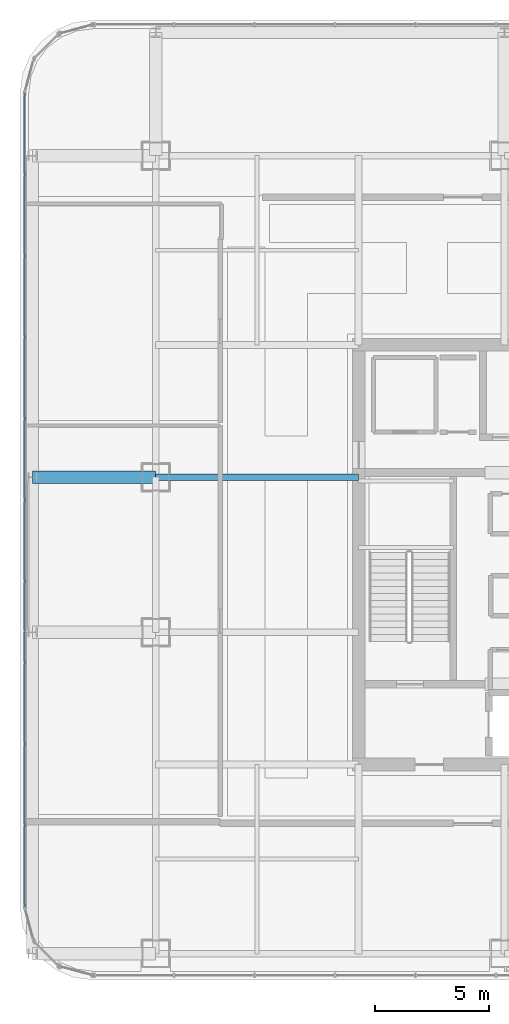
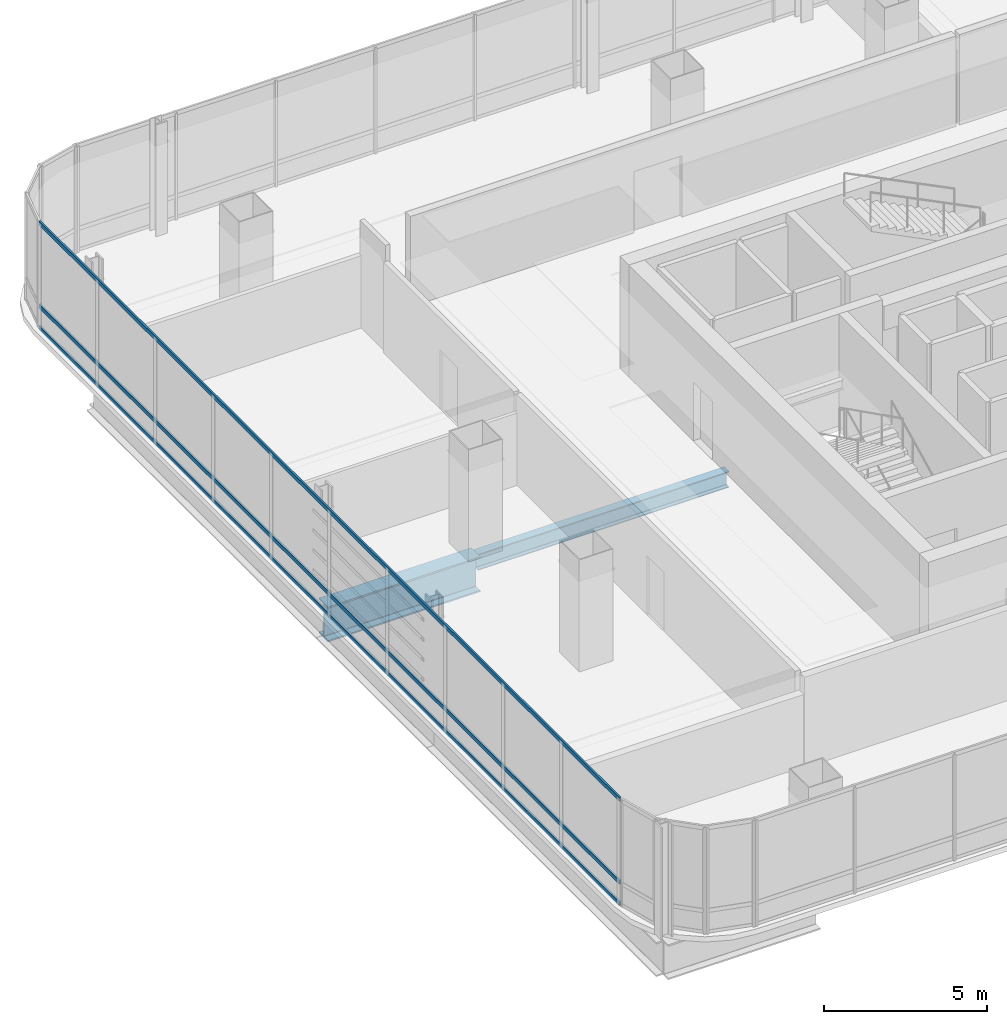
# One storey, part 12 of 42: 3 members, 2 beams, 1 element without a shape of its own.
"""IFC4 building model written with IfcOpenShell, lengths in metres."""

from ifc_helpers import new_model, si_unit, direction, frame, origin, origin_2d, place, context, subcontext, project, spatial, hollow_rectangle, i_section, extrude, material, material_profile, profile_set, type_object, element, aggregate, save


model = new_model("IFC4")

# Units and contexts
model_context = context("Model", 3, precision=1e-05, world=origin(), true_north=direction((0.0, 1.0)))
body_context = subcontext(model_context, "Body", "Model", "MODEL_VIEW")
ifc_project = project(units=[si_unit("LENGTHUNIT", "METRE"), si_unit("AREAUNIT", "SQUARE_METRE"), si_unit("VOLUMEUNIT", "CUBIC_METRE"), si_unit("PLANEANGLEUNIT", "RADIAN"), si_unit("MASSUNIT", "GRAM", prefix="KILO")], contexts=[model_context])

# Site, building, storey
site_placement = place(None, origin())
site = spatial("IfcSite", under=ifc_project, at=site_placement, CompositionType="ELEMENT")
building_placement = place(site_placement, origin())
building = spatial("IfcBuilding", under=site, at=building_placement, Name="Punatoya Terracotta Tower", CompositionType="ELEMENT")
storey_placement = place(building_placement, frame((0.0, 0.0, 304.800048828125)))
storey = spatial("IfcBuildingStorey", under=building, at=storey_placement, Name="L72", CompositionType="ELEMENT", Elevation=304.800048828125)

# Beams
ifc_material_1 = material(Name="Steel S355", Category="steel")
ifc_material_profile_1 = material_profile(ifc_material_1, i_section(OverallWidth=0.300048828125, OverallDepth=0.60009765625, WebThickness=0.015380859375, FlangeThickness=0.030029296875, FilletRadius=0.01806640625, at=origin_2d()))
ifc_profile_set_1 = profile_set([ifc_material_profile_1], Name="Steel S355")
beam_type_1 = type_object("IfcBeamType", Name="BM-PRI-600", PredefinedType="BEAM", material=ifc_profile_set_1)
beam_1_placement = place(storey_placement, frame((-19.10009765625, 3.39990234375, -0.5), z_axis=(1.0, 0.0, 0.0), x_axis=(0.0, 1.0, 0.0)))
element("IfcBeam", 1, at=beam_1_placement, inside=storey, type_object=beam_type_1, Name="BM-L72-PR-WE", PredefinedType="BEAM", context=body_context, shape_type="SweptSolid", body=[
    extrude(i_section(OverallWidth=0.300048828125, OverallDepth=0.60009765625, WebThickness=0.015380859375, FlangeThickness=0.030029296875, FilletRadius=0.01806640625, at=origin_2d()), origin(), (0.0, 0.0, 1.0), 8.900146484375),
])
ifc_material_2 = material(Name="Steel S460", Category="steel")
ifc_material_profile_2 = material_profile(ifc_material_2, i_section(OverallWidth=0.56005859375, OverallDepth=1.320068359375, WebThickness=0.035888671875, FlangeThickness=0.054931640625, FilletRadius=0.01806640625, at=origin_2d()))
ifc_profile_set_2 = profile_set([ifc_material_profile_2], Name="Steel S460")
beam_type_2 = type_object("IfcBeamType", Name="BM-TG-BLK", PredefinedType="BEAM", material=ifc_profile_set_2)
beam_2_placement = place(storey_placement, frame((-24.5, 3.39990234375, -0.860107421875), z_axis=(1.0, 0.0, 0.0), x_axis=(0.0, 1.0, 0.0)))
element("IfcBeam", 2, at=beam_2_placement, inside=storey, type_object=beam_type_2, Name="BM-L72-CANT-W3", PredefinedType="BEAM", context=body_context, shape_type="SweptSolid", body=[
    extrude(i_section(OverallWidth=0.56005859375, OverallDepth=1.320068359375, WebThickness=0.035888671875, FlangeThickness=0.054931640625, FilletRadius=0.01806640625, at=origin_2d()), origin(), (0.0, 0.0, 1.0), 5.39990234375),
])

# Curtain wall, members
ifc_material_3 = material(Name="Aluminium 6063-T6 + Double Low-E Glass", Category="aluminium")
curtain_wall_type = type_object("IfcCurtainWallType", Name="CW-M3", PredefinedType="NOTDEFINED", material=ifc_material_3)
curtain_wall_placement = place(storey_placement, origin())
curtain_wall = element("IfcCurtainWall", 3, at=curtain_wall_placement, inside=storey, type_object=curtain_wall_type, Name="L72 Curtain Wall CW-L72-W13-1", PredefinedType="NOTDEFINED")
ifc_material_4 = material(Name="Aluminium 6063-T6", Category="aluminium")
ifc_material_profile_3 = material_profile(ifc_material_4, hollow_rectangle(XDim=0.068115234375, YDim=0.14990234375, WallThickness=0.00390625, at=origin_2d()))
ifc_profile_set_3 = profile_set([ifc_material_profile_3], Name="Aluminium 6063-T6")
member_type = type_object("IfcMemberType", Name="CW-TRN-TYP", PredefinedType="USERDEFINED", material=ifc_profile_set_3)
member_1_placement = place(storey_placement, frame((-24.85009765625, 20.23681640625, 0.0400390625), z_axis=(0.0, -1.0, 0.0), x_axis=(1.0, 0.0, 0.0)))
member_1 = element("IfcMember", 4, at=member_1_placement, type_object=member_type, Name="CW-L72-W13-1 Transom 1", ObjectType="TRANSOM", PredefinedType="USERDEFINED", context=body_context, shape_type="SweptSolid", body=[
    extrude(hollow_rectangle(XDim=0.068115234375, YDim=0.14990234375, WallThickness=0.00390625, at=origin_2d()), origin(), (0.0, 0.0, 1.0), 35.673828125),
])
member_2_placement = place(storey_placement, frame((-24.85009765625, 20.23681640625, 0.849853515625), z_axis=(0.0, -1.0, 0.0), x_axis=(1.0, 0.0, 0.0)))
member_2 = element("IfcMember", 5, at=member_2_placement, type_object=member_type, Name="CW-L72-W13-1 Transom 2", ObjectType="TRANSOM", PredefinedType="USERDEFINED", context=body_context, shape_type="SweptSolid", body=[
    extrude(hollow_rectangle(XDim=0.068115234375, YDim=0.14990234375, WallThickness=0.00390625, at=origin_2d()), origin(), (0.0, 0.0, 1.0), 35.673828125),
])
member_3_placement = place(storey_placement, frame((-24.85009765625, 20.23681640625, 3.9599609375), z_axis=(0.0, -1.0, 0.0), x_axis=(1.0, 0.0, 0.0)))
member_3 = element("IfcMember", 6, at=member_3_placement, type_object=member_type, Name="CW-L72-W13-1 Transom 3", ObjectType="TRANSOM", PredefinedType="USERDEFINED", context=body_context, shape_type="SweptSolid", body=[
    extrude(hollow_rectangle(XDim=0.068115234375, YDim=0.14990234375, WallThickness=0.00390625, at=origin_2d()), origin(), (0.0, 0.0, 1.0), 35.673828125),
])
aggregate(curtain_wall, [member_1, member_2, member_3])

save(model, "model.ifc")
